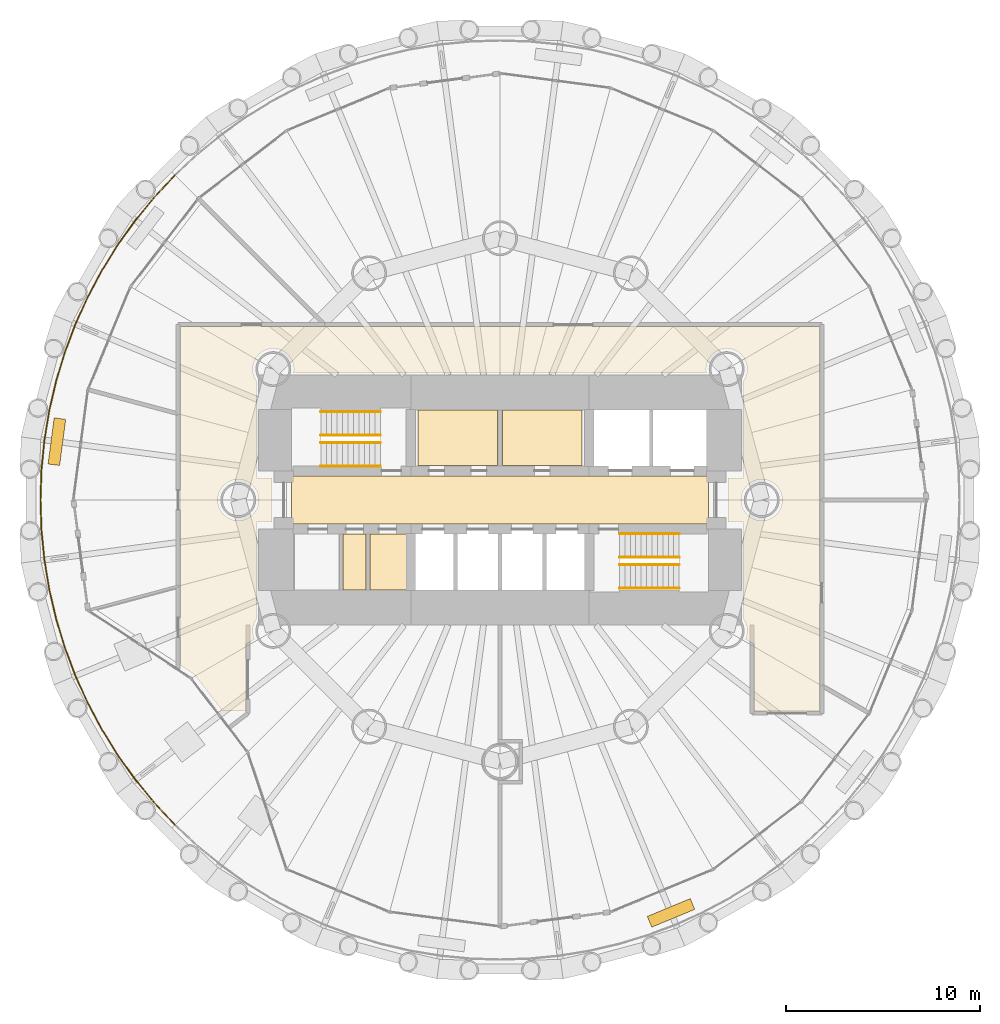
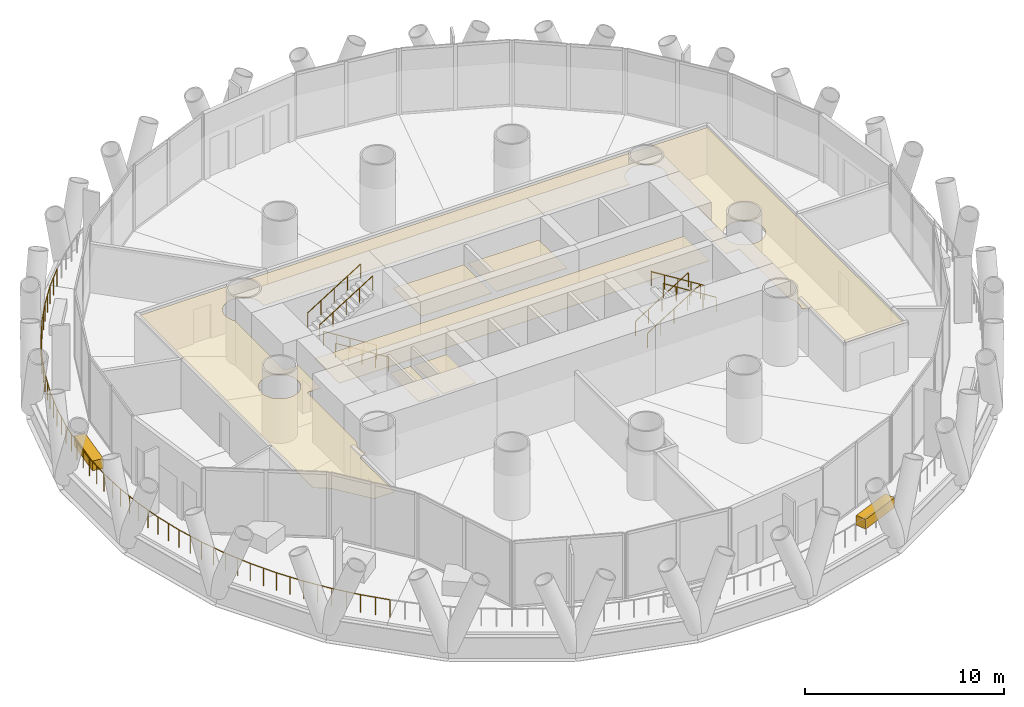
# One storey, part 12 of 14: 9 railings, 8 coverings.
"""IFC4 building model written with IfcOpenShell, lengths in metres."""

from ifc_helpers import new_model, si_unit, direction, frame, origin, origin_2d, place, context, subcontext, project, spatial, polyline, rectangle, circle, outline, extrude, material, layer, layer_set, type_object, element, save


model = new_model("IFC4")

# Units and contexts
model_context = context("Model", 3, precision=1e-05, world=origin(), true_north=direction((0.0, 1.0)))
body_context = subcontext(model_context, "Body", "Model", "MODEL_VIEW")
ifc_project = project(units=[si_unit("LENGTHUNIT", "METRE"), si_unit("AREAUNIT", "SQUARE_METRE"), si_unit("VOLUMEUNIT", "CUBIC_METRE"), si_unit("PLANEANGLEUNIT", "RADIAN"), si_unit("MASSUNIT", "GRAM", prefix="KILO")], contexts=[model_context])

# Site, building, storey
site_placement = place(None, origin())
site = spatial("IfcSite", under=ifc_project, at=site_placement, CompositionType="ELEMENT")
building_placement = place(site_placement, origin())
building = spatial("IfcBuilding", under=site, at=building_placement, Name="Qaws Media Tower", CompositionType="ELEMENT")
storey_placement = place(building_placement, frame((0.0, 0.0, 185.60009765625)))
storey = spatial("IfcBuildingStorey", under=building, at=storey_placement, Name="L42", CompositionType="ELEMENT", Elevation=185.60009765625)

# Railing
ifc_material_1 = material(Name="Stainless steel and glass guard", Category="steel")
railing_type_1 = type_object("IfcRailingType", Name="Balcony guard 1100", PredefinedType="GUARDRAIL", material=ifc_material_1)
railing_placement = place(storey_placement, frame((43.241455078125, 66.758544921875, 0.0)))
element("IfcRailing", 1, at=railing_placement, inside=storey, type_object=railing_type_1, Name="GR1 balcony guard L42-2", PredefinedType="GUARDRAIL", context=body_context, shape_type="SweptSolid", body=[
    extrude(circle(Radius=0.02392578125, at=origin_2d()), frame((0.0, 0.0, 1.076171875), z_axis=(-0.683506391464, -0.729944527227, 0.0), x_axis=(0.729944527227, -0.683506391464, 0.0)), (0.0, 0.0, 1.0), 1.551025390625),
    extrude(circle(Radius=0.02392578125, at=origin_2d()), frame((-1.06005859375, -1.132080078125, 1.076171875), z_axis=(-0.634437227043, -0.772974388283, 0.0), x_axis=(0.772974388283, -0.634437227043, 0.0)), (0.0, 0.0, 1.0), 1.55078125),
    extrude(circle(Radius=0.02392578125, at=origin_2d()), frame((-2.0439453125, -2.330810546875, 1.076171875), z_axis=(-0.582428805867, -0.812881717162, 0.0), x_axis=(0.812881717162, -0.582428805867, 0.0)), (0.0, 0.0, 1.0), 1.551025390625),
    extrude(circle(Radius=0.02392578125, at=origin_2d()), frame((-2.947265625, -3.591552734375, 1.076171875), z_axis=(-0.528158129479, -0.849146035889, 0.0), x_axis=(0.849146035889, -0.528158129479, 0.0)), (0.0, 0.0, 1.0), 1.55078125),
    extrude(circle(Radius=0.02392578125, at=origin_2d()), frame((-3.766357421875, -4.908447265625, 1.076171875), z_axis=(-0.471290719763, -0.881977923457, 0.0), x_axis=(0.881977923457, -0.471290719763, 0.0)), (0.0, 0.0, 1.0), 1.551025390625),
    extrude(circle(Radius=0.02392578125, at=origin_2d()), frame((-4.497314453125, -6.2763671875, 1.076171875), z_axis=(-0.412758946804, -0.910840299851, 0.0), x_axis=(0.910840299851, -0.412758946804, 0.0)), (0.0, 0.0, 1.0), 1.55078125),
    extrude(circle(Radius=0.02392578125, at=origin_2d()), frame((-5.137451171875, -7.68896484375, 1.076171875), z_axis=(-0.352175642703, -0.935933927522, 0.0), x_axis=(0.935933927522, -0.352175642703, 0.0)), (0.0, 0.0, 1.0), 1.55078125),
    extrude(circle(Radius=0.02392578125, at=origin_2d()), frame((-5.68359375, -9.140380859375, 1.076171875), z_axis=(-0.290278263937, -0.956942281167, 0.0), x_axis=(0.956942281167, -0.290278263937, 0.0)), (0.0, 0.0, 1.0), 1.551025390625),
    extrude(circle(Radius=0.02392578125, at=origin_2d()), frame((-6.1337890625, -10.62451171875, 1.076171875), z_axis=(-0.22713507216, -0.97386326504, 0.0), x_axis=(0.97386326504, -0.22713507216, 0.0)), (0.0, 0.0, 1.0), 1.551025390625),
    extrude(circle(Radius=0.02392578125, at=origin_2d()), frame((-6.486083984375, -12.135009765625, 1.076171875), z_axis=(-0.162943612803, -0.98663538303, 0.0), x_axis=(0.98663538303, -0.162943612803, 0.0)), (0.0, 0.0, 1.0), 1.55078125),
    extrude(circle(Radius=0.02392578125, at=origin_2d()), frame((-6.73876953125, -13.6650390625, 1.076171875), z_axis=(-0.097913828797, -0.995194896556, 0.0), x_axis=(0.995194896556, -0.097913828797, 0.0)), (0.0, 0.0, 1.0), 1.551025390625),
    extrude(circle(Radius=0.02392578125, at=origin_2d()), frame((-6.890625, -15.20849609375, 1.076171875), z_axis=(-0.032743497856, -0.999463787912, 0.0), x_axis=(0.999463787912, -0.032743497856, 0.0)), (0.0, 0.0, 1.0), 1.55078125),
    extrude(circle(Radius=0.02392578125, at=origin_2d()), frame((-6.94140625, -16.758544921875, 1.076171875), z_axis=(0.032743497856, -0.999463787912, 0.0), x_axis=(0.999463787912, 0.032743497856, 0.0)), (0.0, 0.0, 1.0), 1.55078125),
    extrude(circle(Radius=0.02392578125, at=origin_2d()), frame((-6.890625, -18.30859375, 1.076171875), z_axis=(0.097913828797, -0.995194896556, 0.0), x_axis=(0.995194896556, 0.097913828797, 0.0)), (0.0, 0.0, 1.0), 1.551025390625),
    extrude(circle(Radius=0.02392578125, at=origin_2d()), frame((-6.73876953125, -19.85205078125, 1.076171875), z_axis=(0.162943612803, -0.98663538303, 0.0), x_axis=(0.98663538303, 0.162943612803, 0.0)), (0.0, 0.0, 1.0), 1.55078125),
    extrude(circle(Radius=0.02392578125, at=origin_2d()), frame((-6.486083984375, -21.382080078125, 1.076171875), z_axis=(0.22713507216, -0.97386326504, 0.0), x_axis=(0.97386326504, 0.22713507216, 0.0)), (0.0, 0.0, 1.0), 1.551025390625),
    extrude(circle(Radius=0.02392578125, at=origin_2d()), frame((-6.1337890625, -22.892578125, 1.076171875), z_axis=(0.290278263937, -0.956942281167, 0.0), x_axis=(0.956942281167, 0.290278263937, 0.0)), (0.0, 0.0, 1.0), 1.551025390625),
    extrude(circle(Radius=0.02392578125, at=origin_2d()), frame((-5.68359375, -24.376708984375, 1.076171875), z_axis=(0.352175642703, -0.935933927522, 0.0), x_axis=(0.935933927522, 0.352175642703, 0.0)), (0.0, 0.0, 1.0), 1.55078125),
    extrude(circle(Radius=0.02392578125, at=origin_2d()), frame((-5.137451171875, -25.828125, 1.076171875), z_axis=(0.412758946804, -0.910840299851, 0.0), x_axis=(0.910840299851, 0.412758946804, 0.0)), (0.0, 0.0, 1.0), 1.55078125),
    extrude(circle(Radius=0.02392578125, at=origin_2d()), frame((-4.497314453125, -27.24072265625, 1.076171875), z_axis=(0.471290719763, -0.881977923457, 0.0), x_axis=(0.881977923457, 0.471290719763, 0.0)), (0.0, 0.0, 1.0), 1.551025390625),
    extrude(circle(Radius=0.02392578125, at=origin_2d()), frame((-3.766357421875, -28.608642578125, 1.076171875), z_axis=(0.528158129479, -0.849146035889, 0.0), x_axis=(0.849146035889, 0.528158129479, 0.0)), (0.0, 0.0, 1.0), 1.55078125),
    extrude(circle(Radius=0.02392578125, at=origin_2d()), frame((-2.947265625, -29.925537109375, 1.076171875), z_axis=(0.582428805867, -0.812881717162, 0.0), x_axis=(0.812881717162, 0.582428805867, 0.0)), (0.0, 0.0, 1.0), 1.551025390625),
    extrude(circle(Radius=0.02392578125, at=origin_2d()), frame((-2.0439453125, -31.186279296875, 1.076171875), z_axis=(0.634437227043, -0.772974388283, 0.0), x_axis=(0.772974388283, 0.634437227043, 0.0)), (0.0, 0.0, 1.0), 1.55078125),
    extrude(circle(Radius=0.02392578125, at=origin_2d()), frame((-1.06005859375, -32.385009765625, 1.076171875), z_axis=(0.683506391464, -0.729944527227, 0.0), x_axis=(0.729944527227, 0.683506391464, 0.0)), (0.0, 0.0, 1.0), 1.551025390625),
    extrude(circle(Radius=0.02099609375, at=origin_2d()), origin(), (0.0, 0.0, 1.0), 1.052001953125),
    extrude(circle(Radius=0.02099609375, at=origin_2d()), frame((-0.530029296875, -0.56591796875, 0.0)), (0.0, 0.0, 1.0), 1.052001953125),
    extrude(circle(Radius=0.02099609375, at=origin_2d()), frame((-1.06005859375, -1.132080078125, 0.0)), (0.0, 0.0, 1.0), 1.052001953125),
    extrude(circle(Radius=0.02099609375, at=origin_2d()), frame((-1.552001953125, -1.7314453125, 0.0)), (0.0, 0.0, 1.0), 1.052001953125),
    extrude(circle(Radius=0.02099609375, at=origin_2d()), frame((-2.0439453125, -2.330810546875, 0.0)), (0.0, 0.0, 1.0), 1.052001953125),
    extrude(circle(Radius=0.02099609375, at=origin_2d()), frame((-2.49560546875, -2.961181640625, 0.0)), (0.0, 0.0, 1.0), 1.052001953125),
    extrude(circle(Radius=0.02099609375, at=origin_2d()), frame((-2.947265625, -3.591552734375, 0.0)), (0.0, 0.0, 1.0), 1.052001953125),
    extrude(circle(Radius=0.02099609375, at=origin_2d()), frame((-3.35693359375, -4.25, 0.0)), (0.0, 0.0, 1.0), 1.052001953125),
    extrude(circle(Radius=0.02099609375, at=origin_2d()), frame((-3.766357421875, -4.908447265625, 0.0)), (0.0, 0.0, 1.0), 1.052001953125),
    extrude(circle(Radius=0.02099609375, at=origin_2d()), frame((-4.1318359375, -5.59228515625, 0.0)), (0.0, 0.0, 1.0), 1.052001953125),
    extrude(circle(Radius=0.02099609375, at=origin_2d()), frame((-4.497314453125, -6.2763671875, 0.0)), (0.0, 0.0, 1.0), 1.052001953125),
    extrude(circle(Radius=0.02099609375, at=origin_2d()), frame((-4.8173828125, -6.982666015625, 0.0)), (0.0, 0.0, 1.0), 1.052001953125),
    extrude(circle(Radius=0.02099609375, at=origin_2d()), frame((-5.137451171875, -7.68896484375, 0.0)), (0.0, 0.0, 1.0), 1.052001953125),
    extrude(circle(Radius=0.02099609375, at=origin_2d()), frame((-5.41064453125, -8.41455078125, 0.0)), (0.0, 0.0, 1.0), 1.052001953125),
    extrude(circle(Radius=0.02099609375, at=origin_2d()), frame((-5.68359375, -9.140380859375, 0.0)), (0.0, 0.0, 1.0), 1.052001953125),
    extrude(circle(Radius=0.02099609375, at=origin_2d()), frame((-5.90869140625, -9.88232421875, 0.0)), (0.0, 0.0, 1.0), 1.052001953125),
    extrude(circle(Radius=0.02099609375, at=origin_2d()), frame((-6.1337890625, -10.62451171875, 0.0)), (0.0, 0.0, 1.0), 1.052001953125),
    extrude(circle(Radius=0.02099609375, at=origin_2d()), frame((-6.31005859375, -11.3798828125, 0.0)), (0.0, 0.0, 1.0), 1.052001953125),
    extrude(circle(Radius=0.02099609375, at=origin_2d()), frame((-6.486083984375, -12.135009765625, 0.0)), (0.0, 0.0, 1.0), 1.052001953125),
    extrude(circle(Radius=0.02099609375, at=origin_2d()), frame((-6.6123046875, -12.89990234375, 0.0)), (0.0, 0.0, 1.0), 1.052001953125),
    extrude(circle(Radius=0.02099609375, at=origin_2d()), frame((-6.73876953125, -13.6650390625, 0.0)), (0.0, 0.0, 1.0), 1.052001953125),
    extrude(circle(Radius=0.02099609375, at=origin_2d()), frame((-6.814697265625, -14.436767578125, 0.0)), (0.0, 0.0, 1.0), 1.052001953125),
    extrude(circle(Radius=0.02099609375, at=origin_2d()), frame((-6.890625, -15.20849609375, 0.0)), (0.0, 0.0, 1.0), 1.052001953125),
    extrude(circle(Radius=0.02099609375, at=origin_2d()), frame((-6.916015625, -15.9833984375, 0.0)), (0.0, 0.0, 1.0), 1.052001953125),
    extrude(circle(Radius=0.02099609375, at=origin_2d()), frame((-6.94140625, -16.758544921875, 0.0)), (0.0, 0.0, 1.0), 1.052001953125),
    extrude(circle(Radius=0.02099609375, at=origin_2d()), frame((-6.916015625, -17.53369140625, 0.0)), (0.0, 0.0, 1.0), 1.052001953125),
    extrude(circle(Radius=0.02099609375, at=origin_2d()), frame((-6.890625, -18.30859375, 0.0)), (0.0, 0.0, 1.0), 1.052001953125),
    extrude(circle(Radius=0.02099609375, at=origin_2d()), frame((-6.814697265625, -19.080322265625, 0.0)), (0.0, 0.0, 1.0), 1.052001953125),
    extrude(circle(Radius=0.02099609375, at=origin_2d()), frame((-6.73876953125, -19.85205078125, 0.0)), (0.0, 0.0, 1.0), 1.052001953125),
    extrude(circle(Radius=0.02099609375, at=origin_2d()), frame((-6.6123046875, -20.6171875, 0.0)), (0.0, 0.0, 1.0), 1.052001953125),
    extrude(circle(Radius=0.02099609375, at=origin_2d()), frame((-6.486083984375, -21.382080078125, 0.0)), (0.0, 0.0, 1.0), 1.052001953125),
    extrude(circle(Radius=0.02099609375, at=origin_2d()), frame((-6.31005859375, -22.13720703125, 0.0)), (0.0, 0.0, 1.0), 1.052001953125),
    extrude(circle(Radius=0.02099609375, at=origin_2d()), frame((-6.1337890625, -22.892578125, 0.0)), (0.0, 0.0, 1.0), 1.052001953125),
    extrude(circle(Radius=0.02099609375, at=origin_2d()), frame((-5.90869140625, -23.634765625, 0.0)), (0.0, 0.0, 1.0), 1.052001953125),
    extrude(circle(Radius=0.02099609375, at=origin_2d()), frame((-5.68359375, -24.376708984375, 0.0)), (0.0, 0.0, 1.0), 1.052001953125),
    extrude(circle(Radius=0.02099609375, at=origin_2d()), frame((-5.41064453125, -25.1025390625, 0.0)), (0.0, 0.0, 1.0), 1.052001953125),
    extrude(circle(Radius=0.02099609375, at=origin_2d()), frame((-5.137451171875, -25.828125, 0.0)), (0.0, 0.0, 1.0), 1.052001953125),
    extrude(circle(Radius=0.02099609375, at=origin_2d()), frame((-4.8173828125, -26.534423828125, 0.0)), (0.0, 0.0, 1.0), 1.052001953125),
    extrude(circle(Radius=0.02099609375, at=origin_2d()), frame((-4.497314453125, -27.24072265625, 0.0)), (0.0, 0.0, 1.0), 1.052001953125),
    extrude(circle(Radius=0.02099609375, at=origin_2d()), frame((-4.1318359375, -27.9248046875, 0.0)), (0.0, 0.0, 1.0), 1.052001953125),
    extrude(circle(Radius=0.02099609375, at=origin_2d()), frame((-3.766357421875, -28.608642578125, 0.0)), (0.0, 0.0, 1.0), 1.052001953125),
    extrude(circle(Radius=0.02099609375, at=origin_2d()), frame((-3.35693359375, -29.26708984375, 0.0)), (0.0, 0.0, 1.0), 1.052001953125),
    extrude(circle(Radius=0.02099609375, at=origin_2d()), frame((-2.947265625, -29.925537109375, 0.0)), (0.0, 0.0, 1.0), 1.052001953125),
    extrude(circle(Radius=0.02099609375, at=origin_2d()), frame((-2.49560546875, -30.555908203125, 0.0)), (0.0, 0.0, 1.0), 1.052001953125),
    extrude(circle(Radius=0.02099609375, at=origin_2d()), frame((-2.0439453125, -31.186279296875, 0.0)), (0.0, 0.0, 1.0), 1.052001953125),
    extrude(circle(Radius=0.02099609375, at=origin_2d()), frame((-1.552001953125, -31.78564453125, 0.0)), (0.0, 0.0, 1.0), 1.052001953125),
    extrude(circle(Radius=0.02099609375, at=origin_2d()), frame((-1.06005859375, -32.385009765625, 0.0)), (0.0, 0.0, 1.0), 1.052001953125),
    extrude(circle(Radius=0.02099609375, at=origin_2d()), frame((-0.530029296875, -32.951171875, 0.0)), (0.0, 0.0, 1.0), 1.052001953125),
    extrude(circle(Radius=0.02099609375, at=origin_2d()), frame((0.0, -33.51708984375, 0.0)), (0.0, 0.0, 1.0), 1.052001953125),
])

# Coverings
ifc_material_2 = material(Name="600 x 600 mineral fibre tiles in exposed grid, suspended", Category="mineral fibre")
ifc_layer_1 = layer(ifc_material_2, 0.02001953125)
ifc_layer_set_1 = layer_set([ifc_layer_1], Name="Mineral fibre tile ceiling 20")
covering_type_1 = type_object("IfcCoveringType", Name="Mineral fibre tile ceiling 20", PredefinedType="CEILING", material=ifc_layer_set_1)
covering_1_placement = place(storey_placement, frame((0.0, 0.0, 2.849853515625)))
element("IfcCovering", 2, at=covering_1_placement, inside=storey, type_object=covering_type_1, Name="CL1 ceiling L42-C07 Ladies toilets", PredefinedType="CEILING", context=body_context, shape_type="SweptSolid", body=[
    extrude(outline(polyline([(55.77001953125, 51.77001953125), (55.77001953125, 54.6298828125), (59.8798828125, 54.6298828125), (59.8798828125, 51.77001953125), (55.77001953125, 51.77001953125)])), origin(), (0.0, 0.0, 1.0), 0.02001953125),
])
covering_2_placement = place(storey_placement, frame((0.0, 0.0, 2.849853515625)))
element("IfcCovering", 3, at=covering_2_placement, inside=storey, type_object=covering_type_1, Name="CL1 ceiling L42-C08 Gents toilets", PredefinedType="CEILING", context=body_context, shape_type="SweptSolid", body=[
    extrude(outline(polyline([(60.1201171875, 51.77001953125), (60.1201171875, 54.6298828125), (64.22998046875, 54.6298828125), (64.22998046875, 51.77001953125), (60.1201171875, 51.77001953125)])), origin(), (0.0, 0.0, 1.0), 0.02001953125),
])
covering_3_placement = place(storey_placement, frame((0.0, 0.0, 2.849853515625)))
element("IfcCovering", 4, at=covering_3_placement, inside=storey, type_object=covering_type_1, Name="CL1 ceiling L42-01 Corridor", PredefinedType="CEILING", context=body_context, shape_type="SweptSolid", body=[
    extrude(outline(polyline([(45.69091796875, 39.112548828125), (44.24658203125, 40.994873046875), (43.512451171875, 41.47900390625), (43.512451171875, 58.9375), (76.487548828125, 58.9375), (76.487548828125, 39.112548828125), (73.112548828125, 39.112548828125), (73.112548828125, 42.559326171875), (72.6591796875, 42.821044921875), (72.670654296875, 42.844482421875), (72.715087890625, 42.9755859375), (72.7421875, 43.111572265625), (72.751220703125, 43.25), (72.7421875, 43.388427734375), (72.715087890625, 43.5244140625), (72.670654296875, 43.655517578125), (72.609375, 43.780029296875), (72.5625, 43.85009765625), (72.5625, 48.862548828125), (71.762451171875, 48.862548828125), (71.762451171875, 51.137451171875), (72.5625, 51.137451171875), (72.5625, 56.14990234375), (72.609375, 56.219970703125), (72.670654296875, 56.344482421875), (72.715087890625, 56.4755859375), (72.7421875, 56.611572265625), (72.751220703125, 56.75), (72.7421875, 56.888427734375), (72.715087890625, 57.0244140625), (72.670654296875, 57.155517578125), (72.609375, 57.280029296875), (72.5322265625, 57.395263671875), (72.44091796875, 57.49951171875), (72.336669921875, 57.591064453125), (72.22119140625, 57.66796875), (72.096923828125, 57.729248046875), (71.9658203125, 57.77392578125), (71.82958984375, 57.80078125), (71.69140625, 57.81005859375), (71.552978515625, 57.80078125), (71.4169921875, 57.77392578125), (71.28564453125, 57.729248046875), (71.161376953125, 57.66796875), (71.046142578125, 57.591064453125), (70.94189453125, 57.49951171875), (70.850341796875, 57.395263671875), (70.7734375, 57.280029296875), (70.7119140625, 57.155517578125), (70.66748046875, 57.0244140625), (70.640380859375, 56.888427734375), (70.63134765625, 56.75), (70.640380859375, 56.611572265625), (70.650146484375, 56.5625), (49.349853515625, 56.5625), (49.359619140625, 56.611572265625), (49.36865234375, 56.75), (49.359619140625, 56.888427734375), (49.33251953125, 57.0244140625), (49.2880859375, 57.155517578125), (49.2265625, 57.280029296875), (49.149658203125, 57.395263671875), (49.05810546875, 57.49951171875), (48.953857421875, 57.591064453125), (48.838623046875, 57.66796875), (48.71435546875, 57.729248046875), (48.5830078125, 57.77392578125), (48.447021484375, 57.80078125), (48.30859375, 57.81005859375), (48.17041015625, 57.80078125), (48.0341796875, 57.77392578125), (47.903076171875, 57.729248046875), (47.77880859375, 57.66796875), (47.663330078125, 57.591064453125), (47.55908203125, 57.49951171875), (47.4677734375, 57.395263671875), (47.390625, 57.280029296875), (47.329345703125, 57.155517578125), (47.284912109375, 57.0244140625), (47.2578125, 56.888427734375), (47.248779296875, 56.75), (47.2578125, 56.611572265625), (47.284912109375, 56.4755859375), (47.329345703125, 56.344482421875), (47.390625, 56.219970703125), (47.4375, 56.14990234375), (47.4375, 51.137451171875), (48.237548828125, 51.137451171875), (48.237548828125, 48.862548828125), (47.4375, 48.862548828125), (47.4375, 43.85009765625), (47.390625, 43.780029296875), (47.329345703125, 43.655517578125), (47.284912109375, 43.5244140625), (47.2578125, 43.388427734375), (47.248779296875, 43.25), (47.2578125, 43.111572265625), (47.284912109375, 42.9755859375), (47.329345703125, 42.844482421875), (47.3408203125, 42.821044921875), (46.887451171875, 42.559326171875), (46.887451171875, 39.112548828125), (45.69091796875, 39.112548828125)]), holes=[polyline([(47.479248046875, 49.594482421875), (47.52392578125, 49.7255859375), (47.55078125, 49.861572265625), (47.56005859375, 50.0), (47.55078125, 50.138427734375), (47.52392578125, 50.2744140625), (47.479248046875, 50.405517578125), (47.41796875, 50.530029296875), (47.341064453125, 50.645263671875), (47.24951171875, 50.74951171875), (47.145263671875, 50.841064453125), (47.030029296875, 50.91796875), (46.905517578125, 50.979248046875), (46.7744140625, 51.02392578125), (46.638427734375, 51.05078125), (46.5, 51.06005859375), (46.361572265625, 51.05078125), (46.2255859375, 51.02392578125), (46.094482421875, 50.979248046875), (45.969970703125, 50.91796875), (45.854736328125, 50.841064453125), (45.75048828125, 50.74951171875), (45.658935546875, 50.645263671875), (45.58203125, 50.530029296875), (45.520751953125, 50.405517578125), (45.47607421875, 50.2744140625), (45.44921875, 50.138427734375), (45.43994140625, 50.0), (45.44921875, 49.861572265625), (45.47607421875, 49.7255859375), (45.520751953125, 49.594482421875), (45.58203125, 49.469970703125), (45.658935546875, 49.354736328125), (45.75048828125, 49.25048828125), (45.854736328125, 49.158935546875), (45.969970703125, 49.08203125), (46.094482421875, 49.020751953125), (46.2255859375, 48.97607421875), (46.361572265625, 48.94921875), (46.5, 48.93994140625), (46.638427734375, 48.94921875), (46.7744140625, 48.97607421875), (46.905517578125, 49.020751953125), (47.030029296875, 49.08203125), (47.145263671875, 49.158935546875), (47.24951171875, 49.25048828125), (47.341064453125, 49.354736328125), (47.41796875, 49.469970703125), (47.479248046875, 49.594482421875)]), polyline([(74.52392578125, 49.7255859375), (74.55078125, 49.861572265625), (74.56005859375, 50.0), (74.55078125, 50.138427734375), (74.52392578125, 50.2744140625), (74.479248046875, 50.405517578125), (74.41796875, 50.530029296875), (74.341064453125, 50.645263671875), (74.24951171875, 50.74951171875), (74.145263671875, 50.841064453125), (74.030029296875, 50.91796875), (73.905517578125, 50.979248046875), (73.7744140625, 51.02392578125), (73.638427734375, 51.05078125), (73.5, 51.06005859375), (73.361572265625, 51.05078125), (73.2255859375, 51.02392578125), (73.094482421875, 50.979248046875), (72.969970703125, 50.91796875), (72.854736328125, 50.841064453125), (72.75048828125, 50.74951171875), (72.658935546875, 50.645263671875), (72.58203125, 50.530029296875), (72.520751953125, 50.405517578125), (72.47607421875, 50.2744140625), (72.44921875, 50.138427734375), (72.43994140625, 50.0), (72.44921875, 49.861572265625), (72.47607421875, 49.7255859375), (72.520751953125, 49.594482421875), (72.58203125, 49.469970703125), (72.658935546875, 49.354736328125), (72.75048828125, 49.25048828125), (72.854736328125, 49.158935546875), (72.969970703125, 49.08203125), (73.094482421875, 49.020751953125), (73.2255859375, 48.97607421875), (73.361572265625, 48.94921875), (73.5, 48.93994140625), (73.638427734375, 48.94921875), (73.7744140625, 48.97607421875), (73.905517578125, 49.020751953125), (74.030029296875, 49.08203125), (74.145263671875, 49.158935546875), (74.24951171875, 49.25048828125), (74.341064453125, 49.354736328125), (74.41796875, 49.469970703125), (74.479248046875, 49.594482421875), (74.52392578125, 49.7255859375)])]), origin(), (0.0, 0.0, 1.0), 0.02001953125),
])
covering_4_placement = place(storey_placement, frame((0.0, 0.0, 2.849853515625)))
element("IfcCovering", 5, at=covering_4_placement, inside=storey, type_object=covering_type_1, Name="CL1 ceiling L42-C05 Cleaner's room", PredefinedType="CEILING", context=body_context, shape_type="SweptSolid", body=[
    extrude(outline(polyline([(51.89990234375, 45.35009765625), (51.89990234375, 48.25), (53.10009765625, 48.25), (53.10009765625, 45.35009765625), (51.89990234375, 45.35009765625)])), origin(), (0.0, 0.0, 1.0), 0.02001953125),
])
covering_5_placement = place(storey_placement, frame((0.0, 0.0, 2.849853515625)))
element("IfcCovering", 6, at=covering_5_placement, inside=storey, type_object=covering_type_1, Name="CL1 ceiling L42-C06 First aid room", PredefinedType="CEILING", context=body_context, shape_type="SweptSolid", body=[
    extrude(outline(polyline([(53.300048828125, 45.35009765625), (53.300048828125, 48.25), (55.199951171875, 48.25), (55.199951171875, 45.35009765625), (53.300048828125, 45.35009765625)])), origin(), (0.0, 0.0, 1.0), 0.02001953125),
])
ifc_material_3 = material(Name="Precast concrete planter with trailing planting", Category="concrete")
ifc_layer_2 = layer(ifc_material_3, 0.60009765625)
ifc_layer_set_2 = layer_set([ifc_layer_2], Name="Planter 2400x600")
covering_type_2 = type_object("IfcCoveringType", Name="Planter 2400x600", PredefinedType="USERDEFINED", material=ifc_layer_set_2)
for number, where, z_axis, x_axis, name in (
    (7, (37.147216796875, 53.008544921875, -0.000244140625), (0.0, 0.0, 1.0), (-0.13052619222, -0.991444861374, 0.0), "PL1 balcony planter L42-06"),
    (8, (68.82080078125, 28.70458984375, -0.000244140625), (0.0, 0.0, 1.0), (0.923879532511, 0.382683432365, 0.0), "PL1 balcony planter L42-10"),
):
    element("IfcCovering", number, at=place(storey_placement, frame(where, z_axis=z_axis, x_axis=x_axis)), inside=storey, type_object=covering_type_2, Name=name, ObjectType="PLANTER", PredefinedType="USERDEFINED", context=body_context, shape_type="SweptSolid", body=[
        extrude(rectangle(XDim=2.39990234375, YDim=0.60009765625, at=origin_2d()), origin(), (0.0, 0.0, 1.0), 0.60009765625),
    ])
ifc_material_4 = material(Name="Two layers 12.5 moisture-resistant plasterboard on suspended metal furring", Category="gypsum")
ifc_layer_3 = layer(ifc_material_4, 0.02490234375)
ifc_layer_set_3 = layer_set([ifc_layer_3], Name="Plasterboard ceiling 25")
covering_type_3 = type_object("IfcCoveringType", Name="Plasterboard ceiling 25", PredefinedType="CEILING", material=ifc_layer_set_3)
covering_6_placement = place(storey_placement, frame((0.0, 0.0, 2.849853515625)))
element("IfcCovering", 9, at=covering_6_placement, inside=storey, type_object=covering_type_3, Name="CL2 ceiling L42-C01 Lift lobby", PredefinedType="CEILING", context=body_context, shape_type="SweptSolid", body=[
    extrude(outline(polyline([(49.25, 48.75), (49.25, 51.25), (70.75, 51.25), (70.75, 48.75), (49.25, 48.75)])), origin(), (0.0, 0.0, 1.0), 0.025146484375),
])

# Railings
ifc_material_5 = material(Name="Steel tube handrail", Category="steel")
railing_type_2 = type_object("IfcRailingType", Name="Stair handrail 900", PredefinedType="HANDRAIL", material=ifc_material_5)
for number, where, name in (
    (10, (53.840087890625, 51.75, 0.1748046875), "HR1 handrail S1 flight 1 L42"),
    (11, (53.840087890625, 52.9599609375, 0.1748046875), "HR1 handrail S1 flight 1 L42"),
):
    element("IfcRailing", number, at=place(storey_placement, frame(where)), inside=storey, type_object=railing_type_2, Name=name, PredefinedType="HANDRAIL", context=body_context, shape_type="SweptSolid", body=[
        extrude(circle(Radius=0.02392578125, at=origin_2d()), frame((0.0, 0.0, 0.8759765625), z_axis=(-0.847998304005, 0.0, 0.529998940003), x_axis=(0.0, -1.0, 0.0)), (0.0, 0.0, 1.0), 3.632080078125),
        extrude(circle(Radius=0.02099609375, at=origin_2d()), origin(), (0.0, 0.0, 1.0), 0.851806640625),
        extrude(circle(Radius=0.02099609375, at=origin_2d()), frame((-0.77001953125, 0.0, 0.481201171875)), (0.0, 0.0, 1.0), 0.851806640625),
        extrude(circle(Radius=0.02099609375, at=origin_2d()), frame((-1.5400390625, 0.0, 0.96240234375)), (0.0, 0.0, 1.0), 0.851806640625),
        extrude(circle(Radius=0.02099609375, at=origin_2d()), frame((-2.31005859375, 0.0, 1.44384765625)), (0.0, 0.0, 1.0), 0.851806640625),
        extrude(circle(Radius=0.02099609375, at=origin_2d()), frame((-3.080078125, 0.0, 1.925048828125)), (0.0, 0.0, 1.0), 0.851806640625),
    ])
for number, where, name in (
    (12, (50.760009765625, 54.550048828125, 2.27490234375), "HR1 handrail S1 flight 2 L42"),
    (13, (50.760009765625, 53.340087890625, 2.27490234375), "HR1 handrail S1 flight 2 L42"),
    (14, (66.159912109375, 48.25, 0.1748046875), "HR1 handrail S2 flight 1 L42"),
    (15, (66.159912109375, 47.0400390625, 0.1748046875), "HR1 handrail S2 flight 1 L42"),
):
    element("IfcRailing", number, at=place(storey_placement, frame(where)), inside=storey, type_object=railing_type_2, Name=name, PredefinedType="HANDRAIL", context=body_context, shape_type="SweptSolid", body=[
        extrude(circle(Radius=0.02392578125, at=origin_2d()), frame((0.0, 0.0, 0.8759765625), z_axis=(0.847998304005, 0.0, 0.529998940003), x_axis=(0.0, 1.0, 0.0)), (0.0, 0.0, 1.0), 3.632080078125),
        extrude(circle(Radius=0.02099609375, at=origin_2d()), origin(), (0.0, 0.0, 1.0), 0.851806640625),
        extrude(circle(Radius=0.02099609375, at=origin_2d()), frame((0.77001953125, 0.0, 0.481201171875)), (0.0, 0.0, 1.0), 0.851806640625),
        extrude(circle(Radius=0.02099609375, at=origin_2d()), frame((1.5400390625, 0.0, 0.96240234375)), (0.0, 0.0, 1.0), 0.851806640625),
        extrude(circle(Radius=0.02099609375, at=origin_2d()), frame((2.31005859375, 0.0, 1.44384765625)), (0.0, 0.0, 1.0), 0.851806640625),
        extrude(circle(Radius=0.02099609375, at=origin_2d()), frame((3.080078125, 0.0, 1.925048828125)), (0.0, 0.0, 1.0), 0.851806640625),
    ])
for number, where, name in (
    (16, (69.239990234375, 45.449951171875, 2.27490234375), "HR1 handrail S2 flight 2 L42"),
    (17, (69.239990234375, 46.659912109375, 2.27490234375), "HR1 handrail S2 flight 2 L42"),
):
    element("IfcRailing", number, at=place(storey_placement, frame(where)), inside=storey, type_object=railing_type_2, Name=name, PredefinedType="HANDRAIL", context=body_context, shape_type="SweptSolid", body=[
        extrude(circle(Radius=0.02392578125, at=origin_2d()), frame((0.0, 0.0, 0.8759765625), z_axis=(-0.847998304005, 0.0, 0.529998940003), x_axis=(0.0, -1.0, 0.0)), (0.0, 0.0, 1.0), 3.632080078125),
        extrude(circle(Radius=0.02099609375, at=origin_2d()), origin(), (0.0, 0.0, 1.0), 0.851806640625),
        extrude(circle(Radius=0.02099609375, at=origin_2d()), frame((-0.77001953125, 0.0, 0.481201171875)), (0.0, 0.0, 1.0), 0.851806640625),
        extrude(circle(Radius=0.02099609375, at=origin_2d()), frame((-1.5400390625, 0.0, 0.96240234375)), (0.0, 0.0, 1.0), 0.851806640625),
        extrude(circle(Radius=0.02099609375, at=origin_2d()), frame((-2.31005859375, 0.0, 1.44384765625)), (0.0, 0.0, 1.0), 0.851806640625),
        extrude(circle(Radius=0.02099609375, at=origin_2d()), frame((-3.080078125, 0.0, 1.925048828125)), (0.0, 0.0, 1.0), 0.851806640625),
    ])

save(model, "model.ifc")
